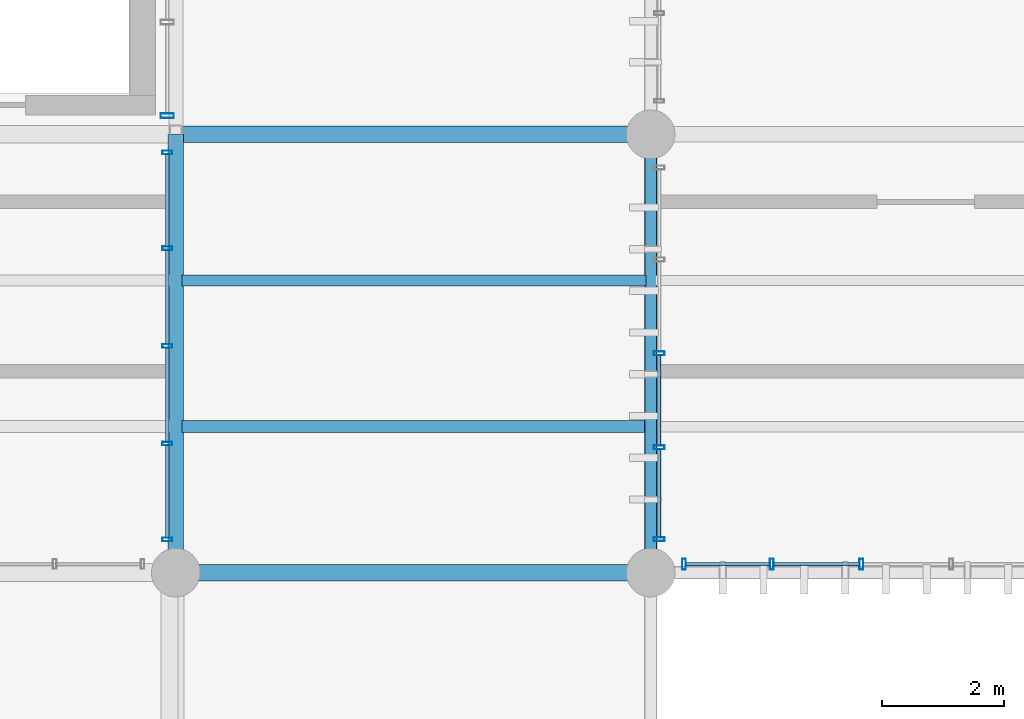
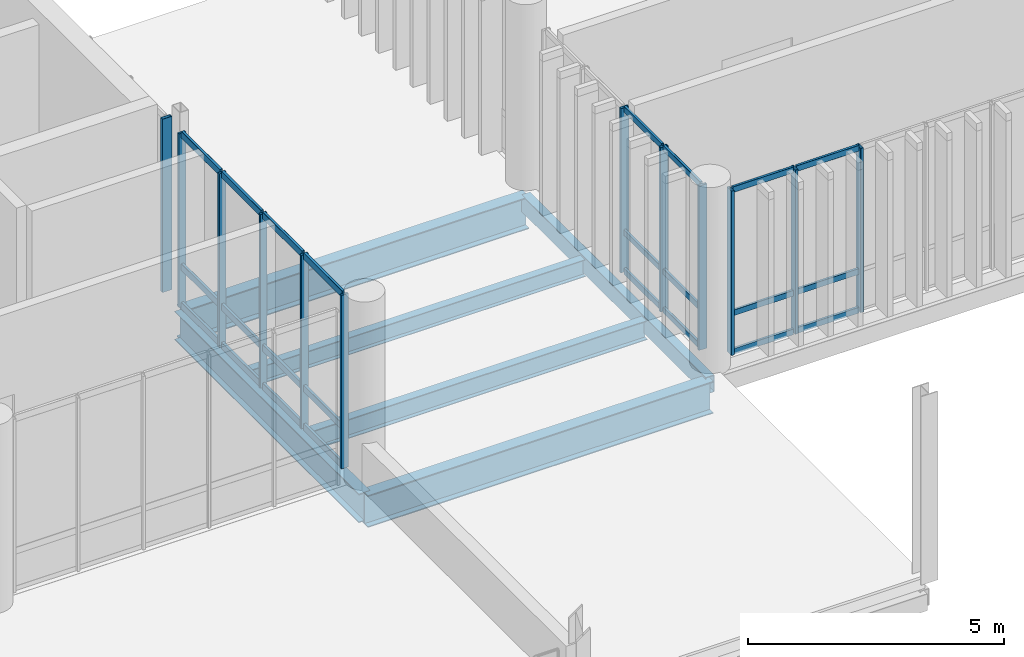
# One storey, part 16 of 68: 36 members, 6 beams, 4 elements without a shape of their own.
"""IFC4 building model written with IfcOpenShell, lengths in metres."""

from ifc_helpers import new_model, si_unit, direction, frame, origin_with_axes, origin_2d_with_axis, place, context, subcontext, project, spatial, hollow_rectangle, i_section, extrude, material, material_profile, profile_set, type_object, element, aggregate, save


model = new_model("IFC4")

# Units and contexts
model_context = context("Model", 3, precision=1e-05, world=origin_with_axes(), true_north=direction((0.0, 1.0)))
body_context = subcontext(model_context, "Body", "Model", "MODEL_VIEW")
ifc_project = project(units=[si_unit("LENGTHUNIT", "METRE"), si_unit("AREAUNIT", "SQUARE_METRE"), si_unit("VOLUMEUNIT", "CUBIC_METRE"), si_unit("PLANEANGLEUNIT", "RADIAN"), si_unit("MASSUNIT", "GRAM", prefix="KILO"), si_unit("THERMODYNAMICTEMPERATUREUNIT", "KELVIN")], contexts=[model_context])

# Site, building, storey
site_placement = place(None, origin_with_axes())
site = spatial("IfcSite", under=ifc_project, at=site_placement, CompositionType="ELEMENT")
building_placement = place(site_placement, origin_with_axes())
building = spatial("IfcBuilding", under=site, at=building_placement, Name="Montbau Bow Law Courts", CompositionType="ELEMENT")
storey_placement = place(building_placement, frame((0.0, 0.0, 20.4), z_axis=(0.0, 0.0, 1.0), x_axis=(1.0, 0.0, 0.0)))
storey = spatial("IfcBuildingStorey", under=building, at=storey_placement, Name="L04", CompositionType="ELEMENT", Elevation=20.4)

# Beams
ifc_material_1 = material(Name="Steel CSA G40.21 Grade 350W (350 MPa)", Category="steel")
ifc_material_profile_1 = material_profile(ifc_material_1, i_section(OverallWidth=0.267, OverallDepth=0.766, WebThickness=0.0149, FlangeThickness=0.0236, at=origin_2d_with_axis()), Name="W760X185", Category="Main", Priority=0)
ifc_profile_set_1 = profile_set([ifc_material_profile_1], Name="Steel CSA G40.21 Grade 350W (350 MPa)")
beam_type_1 = type_object("IfcBeamType", Name="B-FLR-03", PredefinedType="BEAM", material=ifc_profile_set_1)
for number, where, z_axis, x_axis, name in (
    (1, (39.0, 39.0, 19.697), (1.0, 0.0, 0.0), (0.0, 1.0, 0.0), "BM-L04-S0626:bm2_0629"),
    (2, (39.0, 46.2, 19.737), (1.0, 0.0, 0.0), (0.0, 1.0, 0.0), "BM-L04-S0631:bm2_0634"),
):
    element("IfcBeam", number, at=place(None, frame(where, z_axis=z_axis, x_axis=x_axis)), inside=storey, type_object=beam_type_1, Name=name, PredefinedType="BEAM", context=body_context, shape_type="SweptSolid", body=[
        extrude(i_section(OverallWidth=0.267, OverallDepth=0.766, WebThickness=0.0149, FlangeThickness=0.0236, at=origin_2d_with_axis()), origin_with_axes(), (0.0, 0.0, 1.0), 7.8),
    ])
ifc_material_profile_2 = material_profile(ifc_material_1, i_section(OverallWidth=0.254, OverallDepth=0.688, WebThickness=0.0131, FlangeThickness=0.0211, at=origin_2d_with_axis()), Name="W690X152", Category="Main", Priority=0)
ifc_profile_set_2 = profile_set([ifc_material_profile_2], Name="Steel CSA G40.21 Grade 350W (350 MPa)")
beam_type_2 = type_object("IfcBeamType", Name="B-FLR-04", PredefinedType="BEAM", material=ifc_profile_set_2)
beam_1_placement = place(None, frame((39.0, 39.0, 19.736), z_axis=(0.0, 1.0, 0.0), x_axis=(-1.0, 0.0, 0.0)))
element("IfcBeam", 3, at=beam_1_placement, inside=storey, type_object=beam_type_2, Name="BM-L04-S0648:bm2_0651", PredefinedType="BEAM", context=body_context, shape_type="SweptSolid", body=[
    extrude(i_section(OverallWidth=0.254, OverallDepth=0.688, WebThickness=0.0131, FlangeThickness=0.0211, at=origin_2d_with_axis()), origin_with_axes(), (0.0, 0.0, 1.0), 7.2),
])
ifc_material_profile_3 = material_profile(ifc_material_1, i_section(OverallWidth=0.191, OverallDepth=0.46, WebThickness=0.0099, FlangeThickness=0.016, at=origin_2d_with_axis()), Name="W460X82", Category="Main", Priority=0)
ifc_profile_set_3 = profile_set([ifc_material_profile_3], Name="Steel CSA G40.21 Grade 350W (350 MPa)")
beam_type_3 = type_object("IfcBeamType", Name="B-JST-01", PredefinedType="JOIST", material=ifc_profile_set_3)
beam_2_placement = place(None, frame((39.103, 41.4, 19.85), z_axis=(1.0, 0.0, 0.0), x_axis=(0.0, 1.0, 0.0)))
element("IfcBeam", 4, at=beam_2_placement, inside=storey, type_object=beam_type_3, Name="JST-L04-S0316:jst2_0316", PredefinedType="JOIST", context=body_context, shape_type="SweptSolid", body=[
    extrude(i_section(OverallWidth=0.191, OverallDepth=0.46, WebThickness=0.0099, FlangeThickness=0.016, at=origin_2d_with_axis()), origin_with_axes(), (0.0, 0.0, 1.0), 7.617),
])
ifc_material_profile_4 = material_profile(ifc_material_1, i_section(OverallWidth=0.179, OverallDepth=0.41, WebThickness=0.0088, FlangeThickness=0.0144, at=origin_2d_with_axis()), Name="W410X67", Category="Main", Priority=0)
ifc_profile_set_4 = profile_set([ifc_material_profile_4], Name="Steel CSA G40.21 Grade 350W (350 MPa)")
beam_type_4 = type_object("IfcBeamType", Name="B-JST-02", PredefinedType="JOIST", material=ifc_profile_set_4)
beam_3_placement = place(None, frame((39.103, 43.8, 19.875), z_axis=(1.0, 0.0, 0.0), x_axis=(0.0, 1.0, 0.0)))
element("IfcBeam", 5, at=beam_3_placement, inside=storey, type_object=beam_type_4, Name="JST-L04-S0317:jst2_0317", PredefinedType="JOIST", context=body_context, shape_type="SweptSolid", body=[
    extrude(i_section(OverallWidth=0.179, OverallDepth=0.41, WebThickness=0.0088, FlangeThickness=0.0144, at=origin_2d_with_axis()), origin_with_axes(), (0.0, 0.0, 1.0), 7.617),
])
ifc_material_2 = material(Name="Steel CSA G40.21 Grade 350WT (350 MPa)", Category="steel")
ifc_material_profile_5 = material_profile(ifc_material_2, hollow_rectangle(XDim=0.203, YDim=0.406, WallThickness=0.0127, InnerFilletRadius=0.0254, OuterFilletRadius=0.0127, at=origin_2d_with_axis()), Name="HSS406X203X13", Category="Main", Priority=0)
ifc_profile_set_5 = profile_set([ifc_material_profile_5], Name="Steel CSA G40.21 Grade 350WT (350 MPa)")
beam_type_5 = type_object("IfcBeamType", Name="B-SPN-01", PredefinedType="SPANDREL", material=ifc_profile_set_5)
beam_4_placement = place(None, frame((46.8, 39.0, 19.917), z_axis=(0.0, 1.0, 0.0), x_axis=(-1.0, 0.0, 0.0)))
element("IfcBeam", 6, at=beam_4_placement, inside=storey, type_object=beam_type_5, Name="SPN-L04-S0651:bm2_0654", PredefinedType="SPANDREL", context=body_context, shape_type="SweptSolid", body=[
    extrude(hollow_rectangle(XDim=0.203, YDim=0.406, WallThickness=0.0127, InnerFilletRadius=0.0254, OuterFilletRadius=0.0127, at=origin_2d_with_axis()), origin_with_axes(), (0.0, 0.0, 1.0), 7.2),
])

# Curtain wall, member
ifc_material_3 = material(Name="Thermally Broken Extruded Aluminium AA 6063-T6", Category="aluminium")
curtain_wall_type_1 = type_object("IfcCurtainWallType", Name="CW-NCK-01", PredefinedType="NOTDEFINED", material=ifc_material_3)
curtain_wall_1_placement = place(None, frame((38.86, 46.468, 20.4), z_axis=(0.0, 0.0, 1.0), x_axis=(1.0, 0.0, 0.0)))
curtain_wall_1 = element("IfcCurtainWall", 7, at=curtain_wall_1_placement, inside=storey, type_object=curtain_wall_type_1, Name="CW-L04-075:cw_0075", PredefinedType="NOTDEFINED")
ifc_material_profile_6 = material_profile(ifc_material_3, hollow_rectangle(XDim=0.075, YDim=0.22, WallThickness=0.005, InnerFilletRadius=0.01, OuterFilletRadius=0.005, at=origin_2d_with_axis()), Name="CWM-220X75", Category="Main", Priority=0)
ifc_profile_set_6 = profile_set([ifc_material_profile_6], Name="Thermally Broken Extruded Aluminium AA 6063-T6")
member_type_1 = type_object("IfcMemberType", Name="M-MUL-01", PredefinedType="MULLION", material=ifc_profile_set_6)
member_1_placement = place(None, frame((38.86, 46.505, 20.4), z_axis=(0.0, 0.0, 1.0), x_axis=(0.0, 1.0, 0.0)))
member_1 = element("IfcMember", 8, at=member_1_placement, type_object=member_type_1, Name="CW-L04-075-M01:cw_0075_M01", PredefinedType="MULLION", context=body_context, shape_type="SweptSolid", body=[
    extrude(hollow_rectangle(XDim=0.075, YDim=0.22, WallThickness=0.005, InnerFilletRadius=0.01, OuterFilletRadius=0.005, at=origin_2d_with_axis()), origin_with_axes(), (0.0, 0.0, 1.0), 4.14),
])
aggregate(curtain_wall_1, [member_1])

# Curtain wall, members
curtain_wall_type_2 = type_object("IfcCurtainWallType", Name="CW-CRM-01", PredefinedType="NOTDEFINED", material=ifc_material_3)
curtain_wall_2_placement = place(None, frame((47.315, 39.14, 20.4), z_axis=(0.0, 0.0, 1.0), x_axis=(1.0, 0.0, 0.0)))
curtain_wall_2 = element("IfcCurtainWall", 9, at=curtain_wall_2_placement, inside=storey, type_object=curtain_wall_type_2, Name="CW-L04-193:cw_0193", PredefinedType="NOTDEFINED")
ifc_material_profile_7 = material_profile(ifc_material_3, hollow_rectangle(XDim=0.065, YDim=0.18, WallThickness=0.005, InnerFilletRadius=0.01, OuterFilletRadius=0.005, at=origin_2d_with_axis()), Name="CWM-180X65", Category="Main", Priority=0)
ifc_profile_set_7 = profile_set([ifc_material_profile_7], Name="Thermally Broken Extruded Aluminium AA 6063-T6")
member_type_2 = type_object("IfcMemberType", Name="M-MUL-02", PredefinedType="MULLION", material=ifc_profile_set_7)
member_2_placement = place(None, frame((47.348, 39.14, 20.4), z_axis=(0.0, 0.0, 1.0), x_axis=(1.0, 0.0, 0.0)))
member_2 = element("IfcMember", 10, at=member_2_placement, type_object=member_type_2, Name="CW-L04-193-M01:cw_0193_M01", PredefinedType="MULLION", context=body_context, shape_type="SweptSolid", body=[
    extrude(hollow_rectangle(XDim=0.065, YDim=0.18, WallThickness=0.005, InnerFilletRadius=0.01, OuterFilletRadius=0.005, at=origin_2d_with_axis()), origin_with_axes(), (0.0, 0.0, 1.0), 3.92),
])
member_3_placement = place(None, frame((48.789, 39.14, 20.4), z_axis=(0.0, 0.0, 1.0), x_axis=(1.0, 0.0, 0.0)))
member_3 = element("IfcMember", 11, at=member_3_placement, type_object=member_type_2, Name="CW-L04-193-M02:cw_0193_M02", PredefinedType="MULLION", context=body_context, shape_type="SweptSolid", body=[
    extrude(hollow_rectangle(XDim=0.065, YDim=0.18, WallThickness=0.005, InnerFilletRadius=0.01, OuterFilletRadius=0.005, at=origin_2d_with_axis()), origin_with_axes(), (0.0, 0.0, 1.0), 3.92),
])
member_4_placement = place(None, frame((50.263, 39.14, 20.4), z_axis=(0.0, 0.0, 1.0), x_axis=(1.0, 0.0, 0.0)))
member_4 = element("IfcMember", 12, at=member_4_placement, type_object=member_type_2, Name="CW-L04-193-M03:cw_0193_M03", PredefinedType="MULLION", context=body_context, shape_type="SweptSolid", body=[
    extrude(hollow_rectangle(XDim=0.065, YDim=0.18, WallThickness=0.005, InnerFilletRadius=0.01, OuterFilletRadius=0.005, at=origin_2d_with_axis()), origin_with_axes(), (0.0, 0.0, 1.0), 3.92),
])

curtain_wall_3_placement = place(None, frame((46.94, 39.515, 20.4), z_axis=(0.0, 0.0, 1.0), x_axis=(1.0, 0.0, 0.0)))
curtain_wall_3 = element("IfcCurtainWall", 13, at=curtain_wall_3_placement, inside=storey, type_object=curtain_wall_type_2, Name="CW-L04-205:cw_0205", PredefinedType="NOTDEFINED")
member_5_placement = place(None, frame((46.94, 39.548, 20.4), z_axis=(0.0, 0.0, 1.0), x_axis=(0.0, 1.0, 0.0)))
member_5 = element("IfcMember", 14, at=member_5_placement, type_object=member_type_2, Name="CW-L04-205-M01:cw_0205_M01", PredefinedType="MULLION", context=body_context, shape_type="SweptSolid", body=[
    extrude(hollow_rectangle(XDim=0.065, YDim=0.18, WallThickness=0.005, InnerFilletRadius=0.01, OuterFilletRadius=0.005, at=origin_2d_with_axis()), origin_with_axes(), (0.0, 0.0, 1.0), 3.92),
])
member_6_placement = place(None, frame((46.94, 41.058, 20.4), z_axis=(0.0, 0.0, 1.0), x_axis=(0.0, 1.0, 0.0)))
member_6 = element("IfcMember", 15, at=member_6_placement, type_object=member_type_2, Name="CW-L04-205-M02:cw_0205_M02", PredefinedType="MULLION", context=body_context, shape_type="SweptSolid", body=[
    extrude(hollow_rectangle(XDim=0.065, YDim=0.18, WallThickness=0.005, InnerFilletRadius=0.01, OuterFilletRadius=0.005, at=origin_2d_with_axis()), origin_with_axes(), (0.0, 0.0, 1.0), 3.92),
])
member_7_placement = place(None, frame((46.94, 42.6, 20.4), z_axis=(0.0, 0.0, 1.0), x_axis=(0.0, 1.0, 0.0)))
member_7 = element("IfcMember", 16, at=member_7_placement, type_object=member_type_2, Name="CW-L04-205-M03:cw_0205_M03", PredefinedType="MULLION", context=body_context, shape_type="SweptSolid", body=[
    extrude(hollow_rectangle(XDim=0.065, YDim=0.18, WallThickness=0.005, InnerFilletRadius=0.01, OuterFilletRadius=0.005, at=origin_2d_with_axis()), origin_with_axes(), (0.0, 0.0, 1.0), 3.92),
])

curtain_wall_4_placement = place(None, frame((38.86, 39.515, 20.4), z_axis=(0.0, 0.0, 1.0), x_axis=(1.0, 0.0, 0.0)))
curtain_wall_4 = element("IfcCurtainWall", 17, at=curtain_wall_4_placement, inside=storey, type_object=curtain_wall_type_1, Name="CW-L04-074:cw_0074", PredefinedType="NOTDEFINED")
ifc_material_profile_8 = material_profile(ifc_material_3, hollow_rectangle(XDim=0.06, YDim=0.16, WallThickness=0.004, InnerFilletRadius=0.008, OuterFilletRadius=0.004, at=origin_2d_with_axis()), Name="CWM-160X60", Category="Main", Priority=0)
ifc_profile_set_8 = profile_set([ifc_material_profile_8], Name="Thermally Broken Extruded Aluminium AA 6063-T6")
member_type_3 = type_object("IfcMemberType", Name="M-MUL-03", PredefinedType="MULLION", material=ifc_profile_set_8)
member_8_placement = place(None, frame((38.86, 39.545, 20.4), z_axis=(0.0, 0.0, 1.0), x_axis=(0.0, 1.0, 0.0)))
member_8 = element("IfcMember", 18, at=member_8_placement, type_object=member_type_3, Name="CW-L04-074-M01:cw_0074_M01", PredefinedType="MULLION", context=body_context, shape_type="SweptSolid", body=[
    extrude(hollow_rectangle(XDim=0.06, YDim=0.16, WallThickness=0.004, InnerFilletRadius=0.008, OuterFilletRadius=0.004, at=origin_2d_with_axis()), origin_with_axes(), (0.0, 0.0, 1.0), 4.14),
])
member_9_placement = place(None, frame((38.86, 41.119, 20.4), z_axis=(0.0, 0.0, 1.0), x_axis=(0.0, 1.0, 0.0)))
member_9 = element("IfcMember", 19, at=member_9_placement, type_object=member_type_3, Name="CW-L04-074-M02:cw_0074_M02", PredefinedType="MULLION", context=body_context, shape_type="SweptSolid", body=[
    extrude(hollow_rectangle(XDim=0.06, YDim=0.16, WallThickness=0.004, InnerFilletRadius=0.008, OuterFilletRadius=0.004, at=origin_2d_with_axis()), origin_with_axes(), (0.0, 0.0, 1.0), 4.14),
])
member_10_placement = place(None, frame((38.86, 42.724, 20.4), z_axis=(0.0, 0.0, 1.0), x_axis=(0.0, 1.0, 0.0)))
member_10 = element("IfcMember", 20, at=member_10_placement, type_object=member_type_3, Name="CW-L04-074-M03:cw_0074_M03", PredefinedType="MULLION", context=body_context, shape_type="SweptSolid", body=[
    extrude(hollow_rectangle(XDim=0.06, YDim=0.16, WallThickness=0.004, InnerFilletRadius=0.008, OuterFilletRadius=0.004, at=origin_2d_with_axis()), origin_with_axes(), (0.0, 0.0, 1.0), 4.14),
])
member_11_placement = place(None, frame((38.86, 44.328, 20.4), z_axis=(0.0, 0.0, 1.0), x_axis=(0.0, 1.0, 0.0)))
member_11 = element("IfcMember", 21, at=member_11_placement, type_object=member_type_3, Name="CW-L04-074-M04:cw_0074_M04", PredefinedType="MULLION", context=body_context, shape_type="SweptSolid", body=[
    extrude(hollow_rectangle(XDim=0.06, YDim=0.16, WallThickness=0.004, InnerFilletRadius=0.008, OuterFilletRadius=0.004, at=origin_2d_with_axis()), origin_with_axes(), (0.0, 0.0, 1.0), 4.14),
])
member_12_placement = place(None, frame((38.86, 45.902, 20.4), z_axis=(0.0, 0.0, 1.0), x_axis=(0.0, 1.0, 0.0)))
member_12 = element("IfcMember", 22, at=member_12_placement, type_object=member_type_3, Name="CW-L04-074-M05:cw_0074_M05", PredefinedType="MULLION", context=body_context, shape_type="SweptSolid", body=[
    extrude(hollow_rectangle(XDim=0.06, YDim=0.16, WallThickness=0.004, InnerFilletRadius=0.008, OuterFilletRadius=0.004, at=origin_2d_with_axis()), origin_with_axes(), (0.0, 0.0, 1.0), 4.14),
])
ifc_material_profile_9 = material_profile(ifc_material_3, hollow_rectangle(XDim=0.06, YDim=0.16, WallThickness=0.004, InnerFilletRadius=0.008, OuterFilletRadius=0.004, at=origin_2d_with_axis()), Name="CWT-160X60", Category="Main", Priority=0)
ifc_profile_set_9 = profile_set([ifc_material_profile_9], Name="Thermally Broken Extruded Aluminium AA 6063-T6")
member_type_4 = type_object("IfcMemberType", Name="M-TRN-01", PredefinedType="USERDEFINED", material=ifc_profile_set_9)
member_13_placement = place(None, frame((38.86, 39.577, 20.43), z_axis=(0.0, 1.0, 0.0), x_axis=(-1.0, 0.0, 0.0)))
member_13 = element("IfcMember", 23, at=member_13_placement, type_object=member_type_4, Name="CW-L04-074-T01-1:cw_0074_T01_1", ObjectType="TRANSOM", PredefinedType="USERDEFINED", context=body_context, shape_type="SweptSolid", body=[
    extrude(hollow_rectangle(XDim=0.06, YDim=0.16, WallThickness=0.004, InnerFilletRadius=0.008, OuterFilletRadius=0.004, at=origin_2d_with_axis()), origin_with_axes(), (0.0, 0.0, 1.0), 1.51),
])
member_14_placement = place(None, frame((38.86, 39.577, 21.35), z_axis=(0.0, 1.0, 0.0), x_axis=(-1.0, 0.0, 0.0)))
member_14 = element("IfcMember", 24, at=member_14_placement, type_object=member_type_4, Name="CW-L04-074-T01-2:cw_0074_T01_2", ObjectType="TRANSOM", PredefinedType="USERDEFINED", context=body_context, shape_type="SweptSolid", body=[
    extrude(hollow_rectangle(XDim=0.06, YDim=0.16, WallThickness=0.004, InnerFilletRadius=0.008, OuterFilletRadius=0.004, at=origin_2d_with_axis()), origin_with_axes(), (0.0, 0.0, 1.0), 1.51),
])
member_15_placement = place(None, frame((38.86, 39.577, 24.51), z_axis=(0.0, 1.0, 0.0), x_axis=(-1.0, 0.0, 0.0)))
member_15 = element("IfcMember", 25, at=member_15_placement, type_object=member_type_4, Name="CW-L04-074-T01-3:cw_0074_T01_3", ObjectType="TRANSOM", PredefinedType="USERDEFINED", context=body_context, shape_type="SweptSolid", body=[
    extrude(hollow_rectangle(XDim=0.06, YDim=0.16, WallThickness=0.004, InnerFilletRadius=0.008, OuterFilletRadius=0.004, at=origin_2d_with_axis()), origin_with_axes(), (0.0, 0.0, 1.0), 1.51),
])
member_16_placement = place(None, frame((38.86, 41.151, 20.43), z_axis=(0.0, 1.0, 0.0), x_axis=(-1.0, 0.0, 0.0)))
member_16 = element("IfcMember", 26, at=member_16_placement, type_object=member_type_4, Name="CW-L04-074-T02-1:cw_0074_T02_1", ObjectType="TRANSOM", PredefinedType="USERDEFINED", context=body_context, shape_type="SweptSolid", body=[
    extrude(hollow_rectangle(XDim=0.06, YDim=0.16, WallThickness=0.004, InnerFilletRadius=0.008, OuterFilletRadius=0.004, at=origin_2d_with_axis()), origin_with_axes(), (0.0, 0.0, 1.0), 1.541),
])
member_17_placement = place(None, frame((38.86, 41.151, 21.35), z_axis=(0.0, 1.0, 0.0), x_axis=(-1.0, 0.0, 0.0)))
member_17 = element("IfcMember", 27, at=member_17_placement, type_object=member_type_4, Name="CW-L04-074-T02-2:cw_0074_T02_2", ObjectType="TRANSOM", PredefinedType="USERDEFINED", context=body_context, shape_type="SweptSolid", body=[
    extrude(hollow_rectangle(XDim=0.06, YDim=0.16, WallThickness=0.004, InnerFilletRadius=0.008, OuterFilletRadius=0.004, at=origin_2d_with_axis()), origin_with_axes(), (0.0, 0.0, 1.0), 1.541),
])
member_18_placement = place(None, frame((38.86, 41.151, 24.51), z_axis=(0.0, 1.0, 0.0), x_axis=(-1.0, 0.0, 0.0)))
member_18 = element("IfcMember", 28, at=member_18_placement, type_object=member_type_4, Name="CW-L04-074-T02-3:cw_0074_T02_3", ObjectType="TRANSOM", PredefinedType="USERDEFINED", context=body_context, shape_type="SweptSolid", body=[
    extrude(hollow_rectangle(XDim=0.06, YDim=0.16, WallThickness=0.004, InnerFilletRadius=0.008, OuterFilletRadius=0.004, at=origin_2d_with_axis()), origin_with_axes(), (0.0, 0.0, 1.0), 1.541),
])
member_19_placement = place(None, frame((38.86, 42.756, 20.43), z_axis=(0.0, 1.0, 0.0), x_axis=(-1.0, 0.0, 0.0)))
member_19 = element("IfcMember", 29, at=member_19_placement, type_object=member_type_4, Name="CW-L04-074-T03-1:cw_0074_T03_1", ObjectType="TRANSOM", PredefinedType="USERDEFINED", context=body_context, shape_type="SweptSolid", body=[
    extrude(hollow_rectangle(XDim=0.06, YDim=0.16, WallThickness=0.004, InnerFilletRadius=0.008, OuterFilletRadius=0.004, at=origin_2d_with_axis()), origin_with_axes(), (0.0, 0.0, 1.0), 1.54),
])
member_20_placement = place(None, frame((38.86, 42.756, 21.35), z_axis=(0.0, 1.0, 0.0), x_axis=(-1.0, 0.0, 0.0)))
member_20 = element("IfcMember", 30, at=member_20_placement, type_object=member_type_4, Name="CW-L04-074-T03-2:cw_0074_T03_2", ObjectType="TRANSOM", PredefinedType="USERDEFINED", context=body_context, shape_type="SweptSolid", body=[
    extrude(hollow_rectangle(XDim=0.06, YDim=0.16, WallThickness=0.004, InnerFilletRadius=0.008, OuterFilletRadius=0.004, at=origin_2d_with_axis()), origin_with_axes(), (0.0, 0.0, 1.0), 1.54),
])
member_21_placement = place(None, frame((38.86, 42.756, 24.51), z_axis=(0.0, 1.0, 0.0), x_axis=(-1.0, 0.0, 0.0)))
member_21 = element("IfcMember", 31, at=member_21_placement, type_object=member_type_4, Name="CW-L04-074-T03-3:cw_0074_T03_3", ObjectType="TRANSOM", PredefinedType="USERDEFINED", context=body_context, shape_type="SweptSolid", body=[
    extrude(hollow_rectangle(XDim=0.06, YDim=0.16, WallThickness=0.004, InnerFilletRadius=0.008, OuterFilletRadius=0.004, at=origin_2d_with_axis()), origin_with_axes(), (0.0, 0.0, 1.0), 1.54),
])
member_22_placement = place(None, frame((38.86, 44.36, 20.43), z_axis=(0.0, 1.0, 0.0), x_axis=(-1.0, 0.0, 0.0)))
member_22 = element("IfcMember", 32, at=member_22_placement, type_object=member_type_4, Name="CW-L04-074-T04-1:cw_0074_T04_1", ObjectType="TRANSOM", PredefinedType="USERDEFINED", context=body_context, shape_type="SweptSolid", body=[
    extrude(hollow_rectangle(XDim=0.06, YDim=0.16, WallThickness=0.004, InnerFilletRadius=0.008, OuterFilletRadius=0.004, at=origin_2d_with_axis()), origin_with_axes(), (0.0, 0.0, 1.0), 1.51),
])
member_23_placement = place(None, frame((38.86, 44.36, 21.35), z_axis=(0.0, 1.0, 0.0), x_axis=(-1.0, 0.0, 0.0)))
member_23 = element("IfcMember", 33, at=member_23_placement, type_object=member_type_4, Name="CW-L04-074-T04-2:cw_0074_T04_2", ObjectType="TRANSOM", PredefinedType="USERDEFINED", context=body_context, shape_type="SweptSolid", body=[
    extrude(hollow_rectangle(XDim=0.06, YDim=0.16, WallThickness=0.004, InnerFilletRadius=0.008, OuterFilletRadius=0.004, at=origin_2d_with_axis()), origin_with_axes(), (0.0, 0.0, 1.0), 1.51),
])
member_24_placement = place(None, frame((38.86, 44.36, 24.51), z_axis=(0.0, 1.0, 0.0), x_axis=(-1.0, 0.0, 0.0)))
member_24 = element("IfcMember", 34, at=member_24_placement, type_object=member_type_4, Name="CW-L04-074-T04-3:cw_0074_T04_3", ObjectType="TRANSOM", PredefinedType="USERDEFINED", context=body_context, shape_type="SweptSolid", body=[
    extrude(hollow_rectangle(XDim=0.06, YDim=0.16, WallThickness=0.004, InnerFilletRadius=0.008, OuterFilletRadius=0.004, at=origin_2d_with_axis()), origin_with_axes(), (0.0, 0.0, 1.0), 1.51),
])
aggregate(curtain_wall_4, [member_8, member_9, member_10, member_11, member_12, member_13, member_14, member_15, member_16, member_17, member_18, member_19, member_20, member_21, member_22, member_23, member_24])

# Member
ifc_material_profile_10 = material_profile(ifc_material_3, hollow_rectangle(XDim=0.055, YDim=0.14, WallThickness=0.004, InnerFilletRadius=0.008, OuterFilletRadius=0.004, at=origin_2d_with_axis()), Name="CWT-140X55", Category="Main", Priority=0)
ifc_profile_set_10 = profile_set([ifc_material_profile_10], Name="Thermally Broken Extruded Aluminium AA 6063-T6")
member_type_5 = type_object("IfcMemberType", Name="M-TRN-02", PredefinedType="USERDEFINED", material=ifc_profile_set_10)
member_25_placement = place(None, frame((47.383, 39.14, 20.427), z_axis=(1.0, 0.0, 0.0), x_axis=(0.0, 1.0, 0.0)))
member_25 = element("IfcMember", 35, at=member_25_placement, type_object=member_type_5, Name="CW-L04-193-T01-1:cw_0193_T01_1", ObjectType="TRANSOM", PredefinedType="USERDEFINED", context=body_context, shape_type="SweptSolid", body=[
    extrude(hollow_rectangle(XDim=0.055, YDim=0.14, WallThickness=0.004, InnerFilletRadius=0.008, OuterFilletRadius=0.004, at=origin_2d_with_axis()), origin_with_axes(), (0.0, 0.0, 1.0), 1.372),
])

member_26_placement = place(None, frame((47.383, 39.14, 21.35), z_axis=(1.0, 0.0, 0.0), x_axis=(0.0, 1.0, 0.0)))
member_26 = element("IfcMember", 36, at=member_26_placement, type_object=member_type_5, Name="CW-L04-193-T01-2:cw_0193_T01_2", ObjectType="TRANSOM", PredefinedType="USERDEFINED", context=body_context, shape_type="SweptSolid", body=[
    extrude(hollow_rectangle(XDim=0.055, YDim=0.14, WallThickness=0.004, InnerFilletRadius=0.008, OuterFilletRadius=0.004, at=origin_2d_with_axis()), origin_with_axes(), (0.0, 0.0, 1.0), 1.372),
])

member_27_placement = place(None, frame((47.383, 39.14, 24.293), z_axis=(1.0, 0.0, 0.0), x_axis=(0.0, 1.0, 0.0)))
member_27 = element("IfcMember", 37, at=member_27_placement, type_object=member_type_5, Name="CW-L04-193-T01-3:cw_0193_T01_3", ObjectType="TRANSOM", PredefinedType="USERDEFINED", context=body_context, shape_type="SweptSolid", body=[
    extrude(hollow_rectangle(XDim=0.055, YDim=0.14, WallThickness=0.004, InnerFilletRadius=0.008, OuterFilletRadius=0.004, at=origin_2d_with_axis()), origin_with_axes(), (0.0, 0.0, 1.0), 1.372),
])

member_28_placement = place(None, frame((48.823, 39.14, 20.427), z_axis=(1.0, 0.0, 0.0), x_axis=(0.0, 1.0, 0.0)))
member_28 = element("IfcMember", 38, at=member_28_placement, type_object=member_type_5, Name="CW-L04-193-T02-1:cw_0193_T02_1", ObjectType="TRANSOM", PredefinedType="USERDEFINED", context=body_context, shape_type="SweptSolid", body=[
    extrude(hollow_rectangle(XDim=0.055, YDim=0.14, WallThickness=0.004, InnerFilletRadius=0.008, OuterFilletRadius=0.004, at=origin_2d_with_axis()), origin_with_axes(), (0.0, 0.0, 1.0), 1.405),
])

member_29_placement = place(None, frame((48.823, 39.14, 21.35), z_axis=(1.0, 0.0, 0.0), x_axis=(0.0, 1.0, 0.0)))
member_29 = element("IfcMember", 39, at=member_29_placement, type_object=member_type_5, Name="CW-L04-193-T02-2:cw_0193_T02_2", ObjectType="TRANSOM", PredefinedType="USERDEFINED", context=body_context, shape_type="SweptSolid", body=[
    extrude(hollow_rectangle(XDim=0.055, YDim=0.14, WallThickness=0.004, InnerFilletRadius=0.008, OuterFilletRadius=0.004, at=origin_2d_with_axis()), origin_with_axes(), (0.0, 0.0, 1.0), 1.405),
])

member_30_placement = place(None, frame((48.823, 39.14, 24.293), z_axis=(1.0, 0.0, 0.0), x_axis=(0.0, 1.0, 0.0)))
member_30 = element("IfcMember", 40, at=member_30_placement, type_object=member_type_5, Name="CW-L04-193-T02-3:cw_0193_T02_3", ObjectType="TRANSOM", PredefinedType="USERDEFINED", context=body_context, shape_type="SweptSolid", body=[
    extrude(hollow_rectangle(XDim=0.055, YDim=0.14, WallThickness=0.004, InnerFilletRadius=0.008, OuterFilletRadius=0.004, at=origin_2d_with_axis()), origin_with_axes(), (0.0, 0.0, 1.0), 1.405),
])

aggregate(curtain_wall_2, [member_2, member_3, member_4, member_25, member_26, member_27, member_28, member_29, member_30])

member_31_placement = place(None, frame((46.94, 39.583, 20.427), z_axis=(0.0, 1.0, 0.0), x_axis=(-1.0, 0.0, 0.0)))
member_31 = element("IfcMember", 41, at=member_31_placement, type_object=member_type_5, Name="CW-L04-205-T01-1:cw_0205_T01_1", ObjectType="TRANSOM", PredefinedType="USERDEFINED", context=body_context, shape_type="SweptSolid", body=[
    extrude(hollow_rectangle(XDim=0.055, YDim=0.14, WallThickness=0.004, InnerFilletRadius=0.008, OuterFilletRadius=0.004, at=origin_2d_with_axis()), origin_with_axes(), (0.0, 0.0, 1.0), 1.44),
])

member_32_placement = place(None, frame((46.94, 39.583, 21.35), z_axis=(0.0, 1.0, 0.0), x_axis=(-1.0, 0.0, 0.0)))
member_32 = element("IfcMember", 42, at=member_32_placement, type_object=member_type_5, Name="CW-L04-205-T01-2:cw_0205_T01_2", ObjectType="TRANSOM", PredefinedType="USERDEFINED", context=body_context, shape_type="SweptSolid", body=[
    extrude(hollow_rectangle(XDim=0.055, YDim=0.14, WallThickness=0.004, InnerFilletRadius=0.008, OuterFilletRadius=0.004, at=origin_2d_with_axis()), origin_with_axes(), (0.0, 0.0, 1.0), 1.44),
])

member_33_placement = place(None, frame((46.94, 39.583, 24.293), z_axis=(0.0, 1.0, 0.0), x_axis=(-1.0, 0.0, 0.0)))
member_33 = element("IfcMember", 43, at=member_33_placement, type_object=member_type_5, Name="CW-L04-205-T01-3:cw_0205_T01_3", ObjectType="TRANSOM", PredefinedType="USERDEFINED", context=body_context, shape_type="SweptSolid", body=[
    extrude(hollow_rectangle(XDim=0.055, YDim=0.14, WallThickness=0.004, InnerFilletRadius=0.008, OuterFilletRadius=0.004, at=origin_2d_with_axis()), origin_with_axes(), (0.0, 0.0, 1.0), 1.44),
])

member_34_placement = place(None, frame((46.94, 41.092, 20.427), z_axis=(0.0, 1.0, 0.0), x_axis=(-1.0, 0.0, 0.0)))
member_34 = element("IfcMember", 44, at=member_34_placement, type_object=member_type_5, Name="CW-L04-205-T02-1:cw_0205_T02_1", ObjectType="TRANSOM", PredefinedType="USERDEFINED", context=body_context, shape_type="SweptSolid", body=[
    extrude(hollow_rectangle(XDim=0.055, YDim=0.14, WallThickness=0.004, InnerFilletRadius=0.008, OuterFilletRadius=0.004, at=origin_2d_with_axis()), origin_with_axes(), (0.0, 0.0, 1.0), 1.473),
])

member_35_placement = place(None, frame((46.94, 41.092, 21.35), z_axis=(0.0, 1.0, 0.0), x_axis=(-1.0, 0.0, 0.0)))
member_35 = element("IfcMember", 45, at=member_35_placement, type_object=member_type_5, Name="CW-L04-205-T02-2:cw_0205_T02_2", ObjectType="TRANSOM", PredefinedType="USERDEFINED", context=body_context, shape_type="SweptSolid", body=[
    extrude(hollow_rectangle(XDim=0.055, YDim=0.14, WallThickness=0.004, InnerFilletRadius=0.008, OuterFilletRadius=0.004, at=origin_2d_with_axis()), origin_with_axes(), (0.0, 0.0, 1.0), 1.473),
])

member_36_placement = place(None, frame((46.94, 41.092, 24.293), z_axis=(0.0, 1.0, 0.0), x_axis=(-1.0, 0.0, 0.0)))
member_36 = element("IfcMember", 46, at=member_36_placement, type_object=member_type_5, Name="CW-L04-205-T02-3:cw_0205_T02_3", ObjectType="TRANSOM", PredefinedType="USERDEFINED", context=body_context, shape_type="SweptSolid", body=[
    extrude(hollow_rectangle(XDim=0.055, YDim=0.14, WallThickness=0.004, InnerFilletRadius=0.008, OuterFilletRadius=0.004, at=origin_2d_with_axis()), origin_with_axes(), (0.0, 0.0, 1.0), 1.473),
])

aggregate(curtain_wall_3, [member_5, member_6, member_7, member_31, member_32, member_33, member_34, member_35, member_36])

save(model, "model.ifc")
